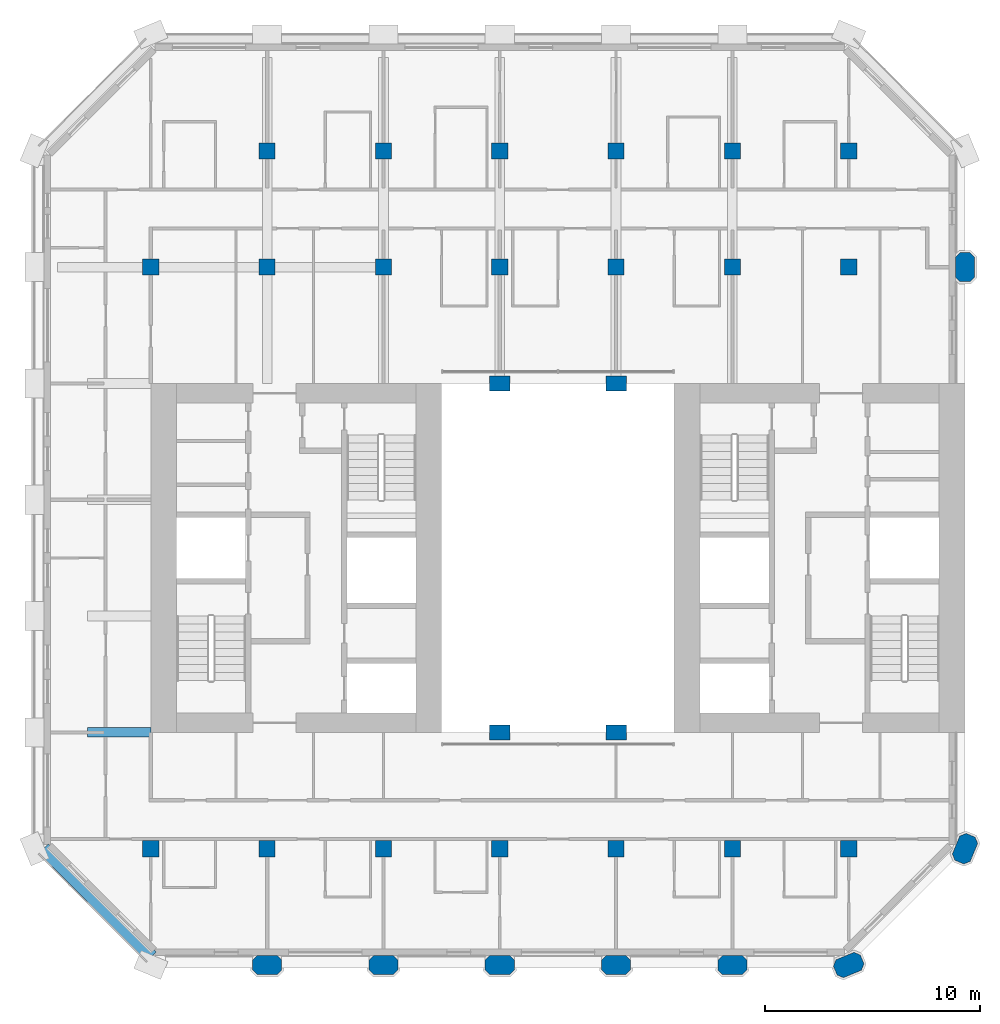
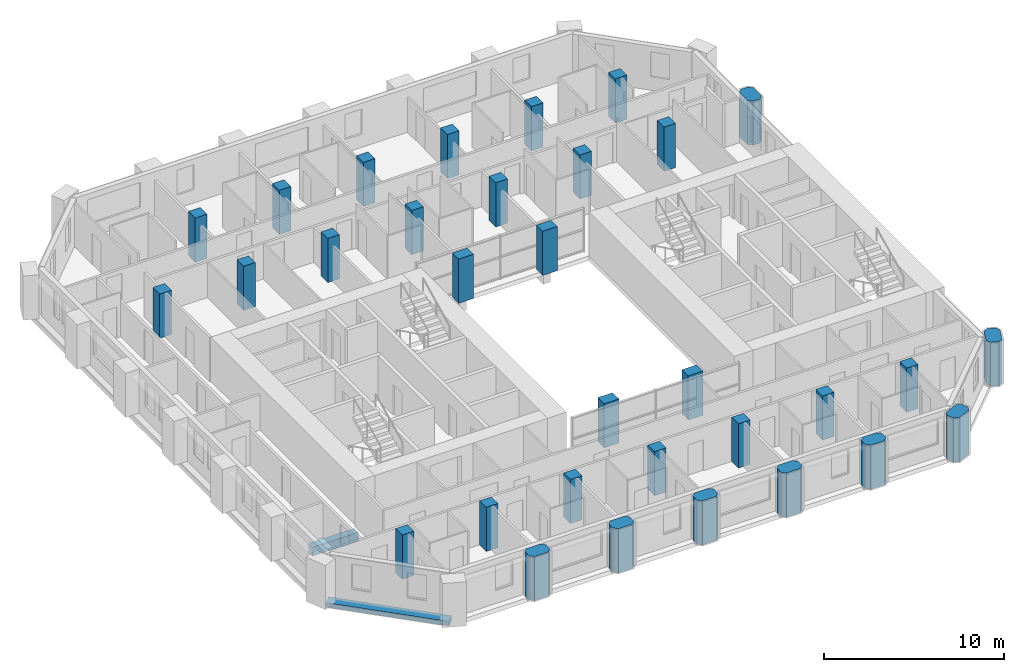
# One storey, part 1 of 14: 32 columns, 2 beams.
"""IFC4 building model written with IfcOpenShell, lengths in metres."""

from ifc_helpers import new_model, si_unit, direction, frame, origin, origin_2d, place, context, subcontext, project, spatial, polyline, rectangle, outline, extrude, material, material_profile, profile_set, type_object, element, save


model = new_model("IFC4")

# Units and contexts
model_context = context("Model", 3, precision=1e-05, world=origin(), true_north=direction((0.0, 1.0)))
body_context = subcontext(model_context, "Body", "Model", "MODEL_VIEW")
ifc_project = project(units=[si_unit("LENGTHUNIT", "METRE"), si_unit("AREAUNIT", "SQUARE_METRE"), si_unit("VOLUMEUNIT", "CUBIC_METRE"), si_unit("PLANEANGLEUNIT", "RADIAN"), si_unit("MASSUNIT", "GRAM", prefix="KILO")], contexts=[model_context])

# Site, building, storey
site_placement = place(None, origin())
site = spatial("IfcSite", under=ifc_project, at=site_placement, CompositionType="ELEMENT")
building_placement = place(site_placement, origin())
building = spatial("IfcBuilding", under=site, at=building_placement, Name="Tabaq Tower and Sports Hall", CompositionType="ELEMENT")
storey_placement = place(building_placement, frame((0.0, 0.0, 217.0)))
storey = spatial("IfcBuildingStorey", under=building, at=storey_placement, Name="L54", CompositionType="ELEMENT", Elevation=217.0)

# Columns
ifc_material_1 = material(Name="Concrete C50/60", Category="concrete")
ifc_material_profile_1 = material_profile(ifc_material_1, rectangle(XDim=0.949951171875, YDim=0.699951171875, at=origin_2d()), Name="ATRIUM COLUMN 950x700")
ifc_profile_set_1 = profile_set([ifc_material_profile_1], Name="Concrete C50/60")
column_type_1 = type_object("IfcColumnType", Name="RC COLUMN ATRIUM COLUMN 950x700 C50/60", PredefinedType="COLUMN", material=ifc_profile_set_1)
for number, where, z_axis, x_axis, name in (
    (1, (21.60009765625, 16.199951171875, 0.0), (0.0, 0.0, 1.0), (1.0, 0.0, 0.0), "Atrium Column 5/D L54"),
    (2, (27.0, 16.199951171875, 0.0), (0.0, 0.0, 1.0), (1.0, 0.0, 0.0), "Atrium Column 6/D L54"),
    (3, (21.60009765625, 32.39990234375, 0.0), (0.0, 0.0, 1.0), (1.0, 0.0, 0.0), "Atrium Column 5/G L54"),
    (4, (27.0, 32.39990234375, 0.0), (0.0, 0.0, 1.0), (1.0, 0.0, 0.0), "Atrium Column 6/G L54"),
):
    element("IfcColumn", number, at=place(storey_placement, frame(where, z_axis=z_axis, x_axis=x_axis)), inside=storey, type_object=column_type_1, Name=name, PredefinedType="COLUMN", context=body_context, shape_type="SweptSolid", body=[
        extrude(rectangle(XDim=0.949951171875, YDim=0.699951171875, at=origin_2d()), origin(), (0.0, 0.0, 1.0), 3.0),
    ])
ifc_material_2 = material(Name="Concrete C50/60", Category="concrete")
ifc_material_profile_2 = material_profile(ifc_material_2, rectangle(XDim=0.75, YDim=0.75, at=origin_2d()), Name="COLUMN 750x750")
ifc_profile_set_2 = profile_set([ifc_material_profile_2], Name="Concrete C50/60")
column_type_2 = type_object("IfcColumnType", Name="RC COLUMN COLUMN 750x750 C50/60", PredefinedType="COLUMN", material=ifc_profile_set_2)
for number, where, z_axis, x_axis, name in (
    (5, (5.39990234375, 10.800048828125, 0.0), (0.0, 0.0, 1.0), (1.0, 0.0, 0.0), "Column 2/C L54"),
    (6, (10.800048828125, 10.800048828125, 0.0), (0.0, 0.0, 1.0), (1.0, 0.0, 0.0), "Column 3/C L54"),
    (7, (16.199951171875, 10.800048828125, 0.0), (0.0, 0.0, 1.0), (1.0, 0.0, 0.0), "Column 4/C L54"),
    (8, (21.60009765625, 10.800048828125, 0.0), (0.0, 0.0, 1.0), (1.0, 0.0, 0.0), "Column 5/C L54"),
    (9, (27.0, 10.800048828125, 0.0), (0.0, 0.0, 1.0), (1.0, 0.0, 0.0), "Column 6/C L54"),
    (10, (32.39990234375, 10.800048828125, 0.0), (0.0, 0.0, 1.0), (1.0, 0.0, 0.0), "Column 7/C L54"),
    (11, (37.800048828125, 10.800048828125, 0.0), (0.0, 0.0, 1.0), (1.0, 0.0, 0.0), "Column 8/C L54"),
    (12, (5.39990234375, 37.800048828125, 0.0), (0.0, 0.0, 1.0), (1.0, 0.0, 0.0), "Column 2/H L54"),
    (13, (10.800048828125, 37.800048828125, 0.0), (0.0, 0.0, 1.0), (1.0, 0.0, 0.0), "Column 3/H L54"),
    (14, (16.199951171875, 37.800048828125, 0.0), (0.0, 0.0, 1.0), (1.0, 0.0, 0.0), "Column 4/H L54"),
    (15, (21.60009765625, 37.800048828125, 0.0), (0.0, 0.0, 1.0), (1.0, 0.0, 0.0), "Column 5/H L54"),
    (16, (27.0, 37.800048828125, 0.0), (0.0, 0.0, 1.0), (1.0, 0.0, 0.0), "Column 6/H L54"),
    (17, (32.39990234375, 37.800048828125, 0.0), (0.0, 0.0, 1.0), (1.0, 0.0, 0.0), "Column 7/H L54"),
    (18, (37.800048828125, 37.800048828125, 0.0), (0.0, 0.0, 1.0), (1.0, 0.0, 0.0), "Column 8/H L54"),
    (19, (10.800048828125, 43.199951171875, 0.0), (0.0, 0.0, 1.0), (1.0, 0.0, 0.0), "Column 3/I L54"),
    (20, (16.199951171875, 43.199951171875, 0.0), (0.0, 0.0, 1.0), (1.0, 0.0, 0.0), "Column 4/I L54"),
    (21, (21.60009765625, 43.199951171875, 0.0), (0.0, 0.0, 1.0), (1.0, 0.0, 0.0), "Column 5/I L54"),
    (22, (27.0, 43.199951171875, 0.0), (0.0, 0.0, 1.0), (1.0, 0.0, 0.0), "Column 6/I L54"),
    (23, (32.39990234375, 43.199951171875, 0.0), (0.0, 0.0, 1.0), (1.0, 0.0, 0.0), "Column 7/I L54"),
    (24, (37.800048828125, 43.199951171875, 0.0), (0.0, 0.0, 1.0), (1.0, 0.0, 0.0), "Column 8/I L54"),
):
    element("IfcColumn", number, at=place(storey_placement, frame(where, z_axis=z_axis, x_axis=x_axis)), inside=storey, type_object=column_type_2, Name=name, PredefinedType="COLUMN", context=body_context, shape_type="SweptSolid", body=[
        extrude(rectangle(XDim=0.75, YDim=0.75, at=origin_2d()), origin(), (0.0, 0.0, 1.0), 3.0),
    ])
ifc_material_3 = material(Name="Concrete C50/60", Category="concrete")
ifc_material_profile_3 = material_profile(ifc_material_3, outline(polyline([(-0.449951171875, -0.449951171875), (0.449951171875, -0.449951171875), (0.675048828125, -0.22509765625), (0.675048828125, 0.22509765625), (0.449951171875, 0.449951171875), (-0.449951171875, 0.449951171875), (-0.675048828125, 0.22509765625), (-0.675048828125, -0.22509765625), (-0.449951171875, -0.449951171875)])), Name="PIER 1350x900")
ifc_profile_set_3 = profile_set([ifc_material_profile_3], Name="Concrete C50/60")
column_type_3 = type_object("IfcColumnType", Name="RC COLUMN PIER 1350x900 C50/60", PredefinedType="COLUMN", material=ifc_profile_set_3)
for number, where, z_axis, x_axis, name in (
    (25, (10.800048828125, 5.39990234375, 0.0), (0.0, 0.0, 1.0), (1.0, 0.0, 0.0), "Pier 3/B L54"),
    (26, (16.199951171875, 5.39990234375, 0.0), (0.0, 0.0, 1.0), (1.0, 0.0, 0.0), "Pier 4/B L54"),
    (27, (21.60009765625, 5.39990234375, 0.0), (0.0, 0.0, 1.0), (1.0, 0.0, 0.0), "Pier 5/B L54"),
    (28, (27.0, 5.39990234375, 0.0), (0.0, 0.0, 1.0), (1.0, 0.0, 0.0), "Pier 6/B L54"),
    (29, (32.39990234375, 5.39990234375, 0.0), (0.0, 0.0, 1.0), (1.0, 0.0, 0.0), "Pier 7/B L54"),
    (30, (37.800048828125, 5.39990234375, 0.0), (0.0, 0.0, 1.0), (0.923879532511, 0.382683432365, 0.0), "Pier 8/B L54"),
    (31, (43.199951171875, 10.800048828125, 0.0), (0.0, 0.0, 1.0), (0.382683432365, 0.923879532511, 0.0), "Pier 9/C L54"),
    (32, (43.199951171875, 37.800048828125, 0.0), (0.0, 0.0, 1.0), (0.0, 1.0, 0.0), "Pier 9/H L54"),
):
    element("IfcColumn", number, at=place(storey_placement, frame(where, z_axis=z_axis, x_axis=x_axis)), inside=storey, type_object=column_type_3, Name=name, PredefinedType="COLUMN", context=body_context, shape_type="SweptSolid", body=[
        extrude(outline(polyline([(-0.449951171875, -0.449951171875), (0.449951171875, -0.449951171875), (0.675048828125, -0.22509765625), (0.675048828125, 0.22509765625), (0.449951171875, 0.449951171875), (-0.449951171875, 0.449951171875), (-0.675048828125, 0.22509765625), (-0.675048828125, -0.22509765625), (-0.449951171875, -0.449951171875)])), origin(), (0.0, 0.0, 1.0), 3.0),
    ])

# Beams
ifc_material_4 = material(Name="Concrete C40/50", Category="concrete")
ifc_material_profile_4 = material_profile(ifc_material_4, rectangle(XDim=0.449951171875, YDim=0.60009765625, at=origin_2d()), Name="CB 450x600")
ifc_profile_set_4 = profile_set([ifc_material_profile_4], Name="Concrete C40/50")
beam_type_1 = type_object("IfcBeamType", Name="PT CANTILEVER BEAM CB 450x600 C40/50", PredefinedType="BEAM", material=ifc_profile_set_4)
beam_1_placement = place(storey_placement, frame((2.449951171875, 16.199951171875, -0.60009765625), z_axis=(1.0, 0.0, 0.0), x_axis=(0.0, 1.0, 0.0)))
element("IfcBeam", 33, at=beam_1_placement, inside=storey, type_object=beam_type_1, Name="Cantilever Beam L54 W3 span 1", PredefinedType="BEAM", context=body_context, shape_type="SweptSolid", body=[
    extrude(rectangle(XDim=0.449951171875, YDim=0.60009765625, at=origin_2d()), origin(), (0.0, 0.0, 1.0), 2.949951171875),
])
ifc_material_5 = material(Name="Concrete C40/50", Category="concrete")
ifc_material_profile_5 = material_profile(ifc_material_5, rectangle(XDim=0.60009765625, YDim=0.300048828125, at=origin_2d()), Name="EB 600x300")
ifc_profile_set_5 = profile_set([ifc_material_profile_5], Name="Concrete C40/50")
beam_type_2 = type_object("IfcBeamType", Name="PT EDGE BEAM EB 600x300 C40/50", PredefinedType="SPANDREL", material=ifc_profile_set_5)
beam_2_placement = place(storey_placement, frame((0.42333984375, 10.801025390625, -0.14990234375), z_axis=(0.707089559252, -0.707124002701, 0.0), x_axis=(0.707124002701, 0.707089559252, 0.0)))
element("IfcBeam", 34, at=beam_2_placement, inside=storey, type_object=beam_type_2, Name="Edge Beam L54 5", PredefinedType="SPANDREL", context=body_context, shape_type="SweptSolid", body=[
    extrude(rectangle(XDim=0.60009765625, YDim=0.300048828125, at=origin_2d()), origin(), (0.0, 0.0, 1.0), 7.088134765625),
])

save(model, "model.ifc")
